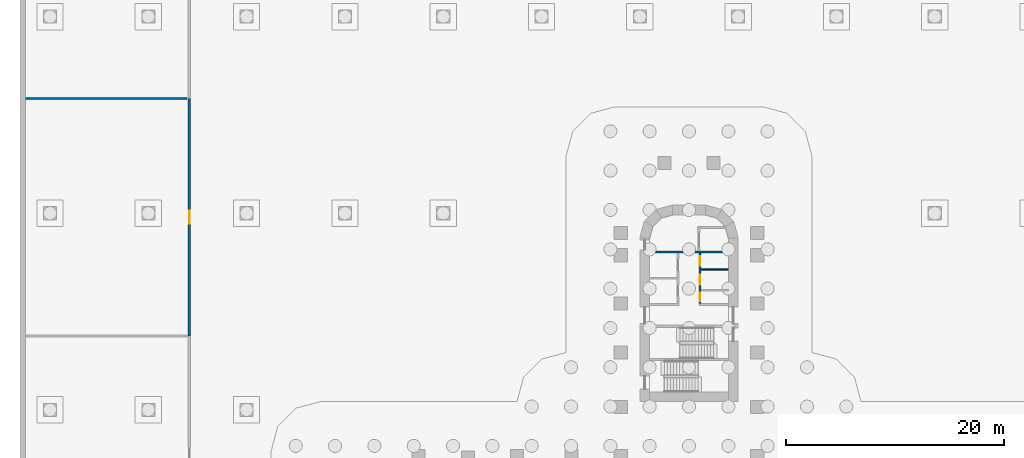
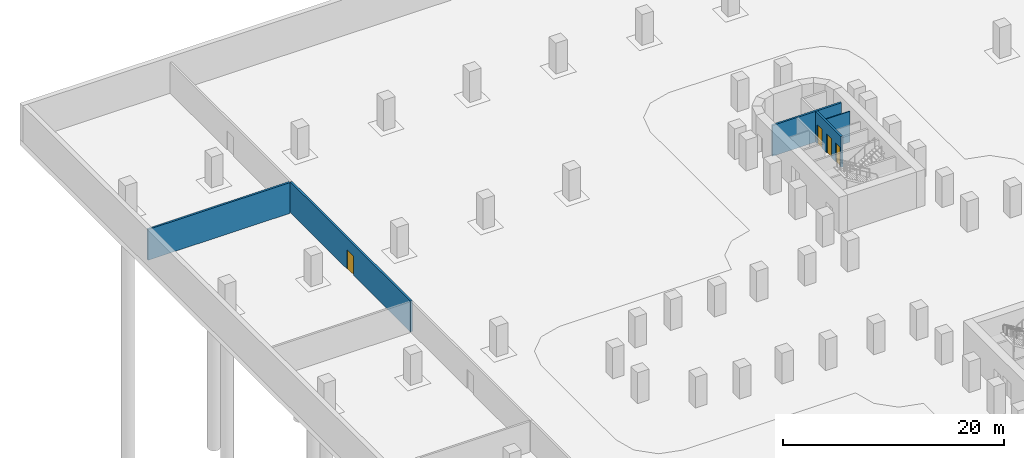
# One storey, part 11 of 14: 5 walls, 4 doors, 4 openings.
"""IFC4 building model written with IfcOpenShell, lengths in metres."""

from ifc_helpers import new_model, si_unit, direction, frame, frame_2d, origin, place, context, subcontext, project, spatial, rectangle, extrude, material, layer, layer_set, type_object, element, fill, save


model = new_model("IFC4")

# Units and contexts
model_context = context("Model", 3, precision=1e-05, world=origin(), true_north=direction((0.0, 1.0)))
body_context = subcontext(model_context, "Body", "Model", "MODEL_VIEW")
ifc_project = project(units=[si_unit("LENGTHUNIT", "METRE"), si_unit("AREAUNIT", "SQUARE_METRE"), si_unit("VOLUMEUNIT", "CUBIC_METRE"), si_unit("PLANEANGLEUNIT", "RADIAN"), si_unit("MASSUNIT", "GRAM", prefix="KILO")], contexts=[model_context])

# Site, building, storey
site_placement = place(None, origin())
site = spatial("IfcSite", under=ifc_project, at=site_placement, CompositionType="ELEMENT")
building_placement = place(site_placement, origin())
building = spatial("IfcBuilding", under=site, at=building_placement, Name="Zarbagh Exchange Tower", CompositionType="ELEMENT")
storey_placement = place(building_placement, frame((0.0, 0.0, -8.0)))
storey = spatial("IfcBuildingStorey", under=building, at=storey_placement, Name="B2", CompositionType="ELEMENT", Elevation=-8.0)

# Wall
ifc_material_1 = material(Name="Dense blockwork", Category="masonry")
ifc_layer_1 = layer(ifc_material_1, 0.10009765625)
ifc_layer_set_1 = layer_set([ifc_layer_1], Name="Core partition 100 mm blockwork")
wall_type_1 = type_object("IfcWallType", Name="Core partition 100 mm blockwork", PredefinedType="PARTITIONING", material=ifc_layer_set_1)
wall_1_placement = place(storey_placement, frame((1.10009765625, 23.35009765625, 0.0), z_axis=(0.0, 0.0, 1.0), x_axis=(1.0, 0.0, 0.0)))
element("IfcWall", 1, at=wall_1_placement, inside=storey, type_object=wall_type_1, Name="North core partition wall CUT-E-500", PredefinedType="PARTITIONING", context=body_context, shape_type="SweptSolid", body=[
    extrude(rectangle(XDim=2.5, YDim=0.10009765625, at=frame_2d((1.25, 0.0))), origin(), (0.0, 0.0, 1.0), 3.39990234375),
])

# Wall, opening, door
ifc_material_2 = material(Name="Concrete block partition", Category="concrete")
ifc_layer_2 = layer(ifc_material_2, 0.199951171875)
ifc_layer_set_2 = layer_set([ifc_layer_2], Name="Fire-rated block partition 200 EI 120")
wall_type_2 = type_object("IfcWallType", Name="Fire-rated block partition 200 EI 120", PredefinedType="PARTITIONING", material=ifc_layer_set_2)
wall_2_placement = place(storey_placement, frame((-45.75, 17.25, 0.0), z_axis=(0.0, 0.0, 1.0), x_axis=(0.0, 1.0, 0.0)))
wall_2 = element("IfcWall", 2, at=wall_2_placement, inside=storey, type_object=wall_type_2, Name="WL-B2-W005", PredefinedType="PARTITIONING", context=body_context, shape_type="SweptSolid", body=[
    extrude(rectangle(XDim=21.75, YDim=0.199951171875, at=frame_2d((10.875, 0.0))), origin(), (0.0, 0.0, 1.0), 3.39990234375),
])
opening_1_placement = place(wall_2_placement, frame((10.27490234375, 0.0, 0.0)))
opening_1 = element("IfcOpeningElement", 3, at=opening_1_placement, cuts=wall_2, Name="Opening D05", PredefinedType="OPENING", context=body_context, shape_type="SweptSolid", body=[
    extrude(rectangle(XDim=1.199951171875, YDim=2.10009765625, at=frame_2d((0.60009765625, 1.050048828125))), frame((0.0, 0.10986328125, 0.0), z_axis=(0.0, -1.0, 0.0), x_axis=(1.0, 0.0, 0.0)), (0.0, 0.0, 1.0), 0.219970703125),
])
ifc_material_3 = material(Name="Steel door set", Category="steel")
door_type_1 = type_object("IfcDoorType", Name="Door single 1200x2100 EI 120", OperationType="SINGLE_SWING_LEFT", PredefinedType="DOOR", material=ifc_material_3)
door_1_placement = place(opening_1_placement, origin())
door_1 = element("IfcDoor", 4, at=door_1_placement, inside=storey, type_object=door_type_1, Name="D05", OperationType="SINGLE_SWING_LEFT", OverallHeight=2.10009765625, OverallWidth=1.199951171875, PredefinedType="DOOR", context=body_context, shape_type="SweptSolid", body=[
    extrude(rectangle(XDim=1.199951171875, YDim=2.10009765625, at=frame_2d((0.60009765625, 1.050048828125))), frame((0.0, 0.02490234375, 0.0), z_axis=(0.0, -1.0, 0.0), x_axis=(1.0, 0.0, 0.0)), (0.0, 0.0, 1.0), 0.050048828125),
])
fill(opening_1, door_1)

# Wall
wall_3_placement = place(storey_placement, frame((-60.75, 39.0, 0.0), z_axis=(0.0, 0.0, 1.0), x_axis=(1.0, 0.0, 0.0)))
element("IfcWall", 5, at=wall_3_placement, inside=storey, type_object=wall_type_2, Name="WL-B2-W013", PredefinedType="PARTITIONING", context=body_context, shape_type="SweptSolid", body=[
    extrude(rectangle(XDim=14.800048828125, YDim=0.199951171875, at=frame_2d((7.39990234375, 0.0))), origin(), (0.0, 0.0, 1.0), 3.39990234375),
])

# Wall, openings, doors
ifc_layer_3 = layer(ifc_material_1, 0.199951171875)
ifc_layer_set_3 = layer_set([ifc_layer_3], Name="Shaft wall 200 mm blockwork")
wall_type_3 = type_object("IfcWallType", Name="Shaft wall 200 mm blockwork", PredefinedType="PARTITIONING", material=ifc_layer_set_3)
wall_4_placement = place(storey_placement, frame((1.0, 24.85009765625, 0.0), z_axis=(0.0, 0.0, 1.0), x_axis=(0.0, -1.0, 0.0)))
wall_4 = element("IfcWall", 6, at=wall_4_placement, inside=storey, type_object=wall_type_3, Name="North core shaft wall LW-E", PredefinedType="PARTITIONING", context=body_context, shape_type="SweptSolid", body=[
    extrude(rectangle(XDim=4.60009765625, YDim=0.199951171875, at=frame_2d((2.300048828125, 0.0))), origin(), (0.0, 0.0, 1.0), 3.39990234375),
])
opening_2_placement = place(wall_4_placement, frame((0.27490234375, 0.0, 0.0)))
opening_2 = element("IfcOpeningElement", 7, at=opening_2_placement, cuts=wall_4, Name="Opening CD3-900", PredefinedType="OPENING", context=body_context, shape_type="SweptSolid", body=[
    extrude(rectangle(XDim=0.89990234375, YDim=2.10009765625, at=frame_2d((0.449951171875, 1.050048828125))), frame((0.0, 0.10986328125, 0.0), z_axis=(0.0, -1.0, 0.0), x_axis=(1.0, 0.0, 0.0)), (0.0, 0.0, 1.0), 0.219970703125),
])
opening_3_placement = place(wall_4_placement, frame((2.0, 0.0, 0.0)))
opening_3 = element("IfcOpeningElement", 8, at=opening_3_placement, cuts=wall_4, Name="Opening CD3-900", PredefinedType="OPENING", context=body_context, shape_type="SweptSolid", body=[
    extrude(rectangle(XDim=0.89990234375, YDim=2.10009765625, at=frame_2d((0.449951171875, 1.050048828125))), frame((0.0, 0.10986328125, 0.0), z_axis=(0.0, -1.0, 0.0), x_axis=(1.0, 0.0, 0.0)), (0.0, 0.0, 1.0), 0.219970703125),
])
opening_4_placement = place(wall_4_placement, frame((3.625, 0.0, 0.0)))
opening_4 = element("IfcOpeningElement", 9, at=opening_4_placement, cuts=wall_4, Name="Opening CD3-800", PredefinedType="OPENING", context=body_context, shape_type="SweptSolid", body=[
    extrude(rectangle(XDim=0.800048828125, YDim=2.10009765625, at=frame_2d((0.39990234375, 1.050048828125))), frame((0.0, 0.10986328125, 0.0), z_axis=(0.0, -1.0, 0.0), x_axis=(1.0, 0.0, 0.0)), (0.0, 0.0, 1.0), 0.219970703125),
])
ifc_material_4 = material(Name="Steel", Category="steel")
door_type_2 = type_object("IfcDoorType", Name="Core room door 800 x 2100", OperationType="NOTDEFINED", PredefinedType="DOOR", material=ifc_material_4)
door_2_placement = place(opening_4_placement, origin())
door_2 = element("IfcDoor", 10, at=door_2_placement, inside=storey, type_object=door_type_2, Name="North core Tank room door RD-E-2", OperationType="SINGLE_SWING_RIGHT", OverallHeight=2.10009765625, OverallWidth=0.800048828125, PredefinedType="DOOR", context=body_context, shape_type="SweptSolid", body=[
    extrude(rectangle(XDim=0.800048828125, YDim=2.10009765625, at=frame_2d((0.39990234375, 1.050048828125))), frame((0.0, 0.02490234375, 0.0), z_axis=(0.0, -1.0, 0.0), x_axis=(1.0, 0.0, 0.0)), (0.0, 0.0, 1.0), 0.050048828125),
])
fill(opening_4, door_2)
door_type_3 = type_object("IfcDoorType", Name="Core room door 900 x 2100", OperationType="NOTDEFINED", PredefinedType="DOOR", material=ifc_material_4)
door_3_placement = place(opening_2_placement, origin())
door_3 = element("IfcDoor", 11, at=door_3_placement, inside=storey, type_object=door_type_3, Name="North core Store door RD-E-0", OperationType="SINGLE_SWING_LEFT", OverallHeight=2.10009765625, OverallWidth=0.89990234375, PredefinedType="DOOR", context=body_context, shape_type="SweptSolid", body=[
    extrude(rectangle(XDim=0.89990234375, YDim=2.10009765625, at=frame_2d((0.449951171875, 1.050048828125))), frame((0.0, 0.02490234375, 0.0), z_axis=(0.0, -1.0, 0.0), x_axis=(1.0, 0.0, 0.0)), (0.0, 0.0, 1.0), 0.050048828125),
])
fill(opening_2, door_3)
door_4_placement = place(opening_3_placement, origin())
door_4 = element("IfcDoor", 12, at=door_4_placement, inside=storey, type_object=door_type_3, Name="North core Pump room door RD-E-1", OperationType="SINGLE_SWING_LEFT", OverallHeight=2.10009765625, OverallWidth=0.89990234375, PredefinedType="DOOR", context=body_context, shape_type="SweptSolid", body=[
    extrude(rectangle(XDim=0.89990234375, YDim=2.10009765625, at=frame_2d((0.449951171875, 1.050048828125))), frame((0.0, 0.02490234375, 0.0), z_axis=(0.0, -1.0, 0.0), x_axis=(1.0, 0.0, 0.0)), (0.0, 0.0, 1.0), 0.050048828125),
])
fill(opening_3, door_4)

# Wall
ifc_material_5 = material(Name="Concrete C40/50", Category="concrete")
ifc_layer_4 = layer(ifc_material_5, 0.199951171875)
ifc_layer_set_4 = layer_set([ifc_layer_4], Name="Stair enclosure wall 200 mm RC C40/50")
wall_type_4 = type_object("IfcWallType", Name="Stair enclosure wall 200 mm RC C40/50", PredefinedType="SHEAR", material=ifc_layer_set_4)
wall_5_placement = place(storey_placement, frame((-3.60009765625, 24.949951171875, 0.0), z_axis=(0.0, 0.0, 1.0), x_axis=(1.0, 0.0, 0.0)))
element("IfcWall", 13, at=wall_5_placement, inside=storey, type_object=wall_type_4, Name="North core lift shaft wall FFA", PredefinedType="SHEAR", context=body_context, shape_type="SweptSolid", body=[
    extrude(rectangle(XDim=7.2001953125, YDim=0.199951171875, at=frame_2d((3.60009765625, 0.0))), origin(), (0.0, 0.0, 1.0), 3.39990234375),
])

save(model, "model.ifc")
